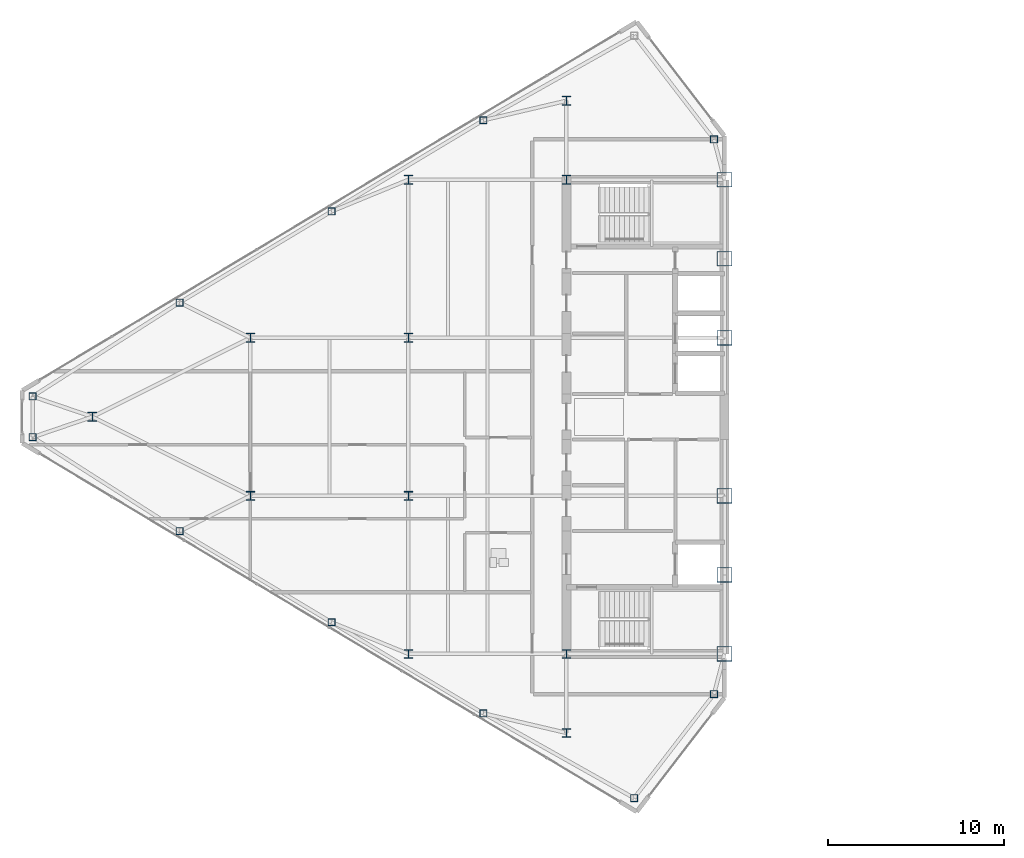
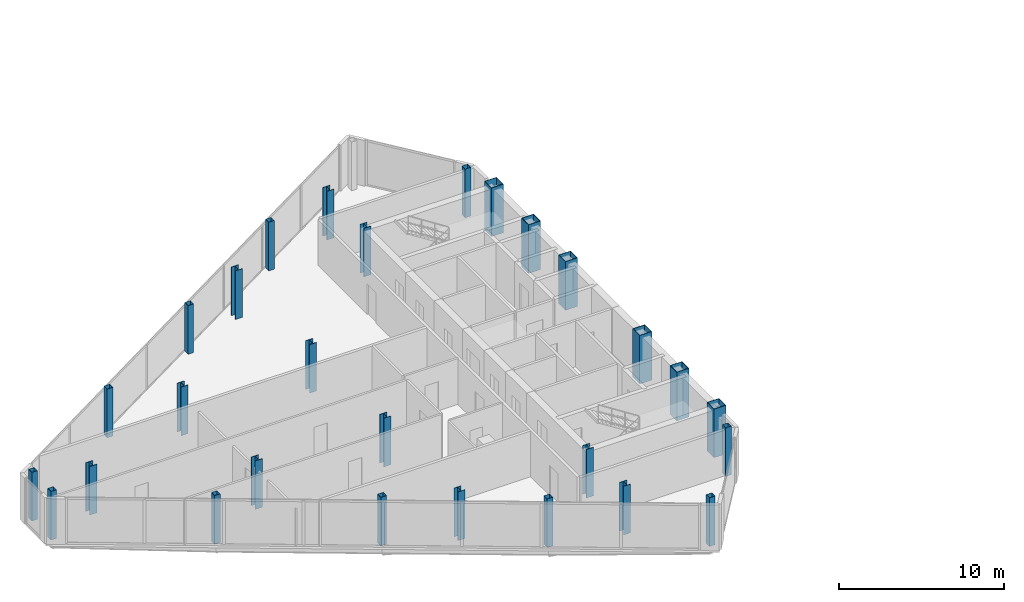
# One storey, part 1 of 25: 28 columns.
"""IFC4 building model written with IfcOpenShell, lengths in metres."""

from ifc_helpers import new_model, si_unit, direction, frame, origin, origin_2d, place, context, subcontext, project, spatial, hollow_rectangle, i_section, extrude, source, transform, mapped, material, material_profile, profile_set, type_object, type_shapes, element, save


model = new_model("IFC4")

# Units and contexts
model_context = context("Model", 3, precision=1e-05, world=origin(), true_north=direction((0.0, 1.0)))
body_context = subcontext(model_context, "Body", "Model", "MODEL_VIEW")
ifc_project = project(units=[si_unit("LENGTHUNIT", "METRE"), si_unit("AREAUNIT", "SQUARE_METRE"), si_unit("VOLUMEUNIT", "CUBIC_METRE"), si_unit("PLANEANGLEUNIT", "RADIAN"), si_unit("MASSUNIT", "GRAM", prefix="KILO")], contexts=[model_context])

# Site, building, storey
site_placement = place(None, origin())
site = spatial("IfcSite", under=ifc_project, at=site_placement, CompositionType="ELEMENT")
building_placement = place(site_placement, origin())
building = spatial("IfcBuilding", under=site, at=building_placement, Name="Seokmaru Belvedere", CompositionType="ELEMENT")
storey_placement = place(building_placement, frame((0.0, 0.0, 210.300048828125)))
storey = spatial("IfcBuildingStorey", under=building, at=storey_placement, Name="L56", CompositionType="ELEMENT", Elevation=210.300048828125)

# Columns
ifc_material_1 = material(Name="Steel HSA650 (650 MPa)", Category="steel")
ifc_material_profile_1 = material_profile(ifc_material_1, hollow_rectangle(XDim=0.85009765625, YDim=0.85009765625, WallThickness=0.035888671875, at=origin_2d()), Name="BOX-850x850x36")
ifc_profile_set_1 = profile_set([ifc_material_profile_1], Name="Steel HSA650 (650 MPa)")
column_type_1 = type_object("IfcColumnType", Name="Portal Spine Column BOX-850", PredefinedType="COLUMN", material=ifc_profile_set_1)
shared_shape_1 = source(origin(), body_context, "Body", "SweptSolid", [
    extrude(hollow_rectangle(XDim=0.85009765625, YDim=0.85009765625, WallThickness=0.035888671875, at=origin_2d()), origin(), (0.0, 0.0, 1.0), 3.599853515625),
])
type_shapes(column_type_1, [shared_shape_1])
for number, where, z_axis, x_axis, name in (
    (1, (-27.5, -13.5, 0.0), (0.0, 0.0, 1.0), (1.0, 0.0, 0.0), "L56 Column WS1"),
    (2, (-27.5, -9.0, 0.0), (0.0, 0.0, 1.0), (1.0, 0.0, 0.0), "L56 Column WS2"),
    (3, (-27.5, -4.5, 0.0), (0.0, 0.0, 1.0), (1.0, 0.0, 0.0), "L56 Column WS3"),
    (4, (-27.5, 4.5, 0.0), (0.0, 0.0, 1.0), (1.0, 0.0, 0.0), "L56 Column WS4"),
    (5, (-27.5, 9.0, 0.0), (0.0, 0.0, 1.0), (1.0, 0.0, 0.0), "L56 Column WS5"),
    (6, (-27.5, 13.5, 0.0), (0.0, 0.0, 1.0), (1.0, 0.0, 0.0), "L56 Column WS6"),
):
    element("IfcColumn", number, at=place(storey_placement, frame(where, z_axis=z_axis, x_axis=x_axis)), inside=storey, type_object=column_type_1, Name=name, PredefinedType="COLUMN", context=body_context, shape_type="MappedRepresentation", body=[
        mapped(shared_shape_1, transform((0.0, 0.0, 0.0), scale=1.0)),
    ])
ifc_material_2 = material(Name="Steel SM355 (355 MPa)", Category="steel")
ifc_material_profile_2 = material_profile(ifc_material_2, i_section(OverallWidth=0.5, OverallDepth=0.5, WebThickness=0.02001953125, FlangeThickness=0.031982421875, at=origin_2d()), Name="H-500x500x20x32")
ifc_profile_set_2 = profile_set([ifc_material_profile_2], Name="Steel SM355 (355 MPa)")
column_type_2 = type_object("IfcColumnType", Name="High-Rise Interior Column H-500", PredefinedType="COLUMN", material=ifc_profile_set_2)
shared_shape_2 = source(origin(), body_context, "Body", "SweptSolid", [
    extrude(i_section(OverallWidth=0.5, OverallDepth=0.5, WebThickness=0.02001953125, FlangeThickness=0.031982421875, at=origin_2d()), origin(), (0.0, 0.0, 1.0), 3.599853515625),
])
type_shapes(column_type_2, [shared_shape_2])
for number, where, z_axis, x_axis, name in (
    (7, (-36.5, -18.0, 0.0), (0.0, 0.0, 1.0), (1.0, 0.0, 0.0), "L56 Column WC1"),
    (8, (-36.5, -13.5, 0.0), (0.0, 0.0, 1.0), (1.0, 0.0, 0.0), "L56 Column WC2"),
    (9, (-36.5, 13.5, 0.0), (0.0, 0.0, 1.0), (1.0, 0.0, 0.0), "L56 Column WC3"),
    (10, (-36.5, 18.0, 0.0), (0.0, 0.0, 1.0), (1.0, 0.0, 0.0), "L56 Column WC4"),
    (11, (-45.5, -13.5, 0.0), (0.0, 0.0, 1.0), (1.0, 0.0, 0.0), "L56 Column WG5_1"),
    (12, (-45.5, -4.5, 0.0), (0.0, 0.0, 1.0), (1.0, 0.0, 0.0), "L56 Column WG5_2"),
    (13, (-45.5, 4.5, 0.0), (0.0, 0.0, 1.0), (1.0, 0.0, 0.0), "L56 Column WG5_3"),
    (14, (-45.5, 13.5, 0.0), (0.0, 0.0, 1.0), (1.0, 0.0, 0.0), "L56 Column WG5_4"),
    (15, (-54.5, -4.5, 0.0), (0.0, 0.0, 1.0), (1.0, 0.0, 0.0), "L56 Column WG4P_1"),
    (16, (-54.5, 4.5, 0.0), (0.0, 0.0, 1.0), (1.0, 0.0, 0.0), "L56 Column WG4P_2"),
    (17, (-63.5, 0.0, 0.0), (0.0, 0.0, 1.0), (1.0, 0.0, 0.0), "L56 Column WG3P_1"),
):
    element("IfcColumn", number, at=place(storey_placement, frame(where, z_axis=z_axis, x_axis=x_axis)), inside=storey, type_object=column_type_2, Name=name, PredefinedType="COLUMN", context=body_context, shape_type="MappedRepresentation", body=[
        mapped(shared_shape_2, transform((0.0, 0.0, 0.0), scale=1.0)),
    ])
ifc_material_profile_3 = material_profile(ifc_material_2, hollow_rectangle(XDim=0.39990234375, YDim=0.39990234375, WallThickness=0.01611328125, at=origin_2d()), Name="HSS-400x400x16")
ifc_profile_set_3 = profile_set([ifc_material_profile_3], Name="Steel SM355 (355 MPa)")
column_type_3 = type_object("IfcColumnType", Name="Perimeter Facet Column HSS-400", PredefinedType="COLUMN", material=ifc_profile_set_3)
shared_shape_3 = source(origin(), body_context, "Body", "SweptSolid", [
    extrude(hollow_rectangle(XDim=0.39990234375, YDim=0.39990234375, WallThickness=0.01611328125, at=origin_2d()), origin(), (0.0, 0.0, 1.0), 3.599853515625),
])
type_shapes(column_type_3, [shared_shape_3])
for number, where, z_axis, x_axis, name in (
    (18, (-28.10009765625, -15.7958984375, 0.0), (0.0, 0.0, 1.0), (1.0, 0.0, 0.0), "L56 Column WF1"),
    (19, (-28.10009765625, 15.7958984375, 0.0), (0.0, 0.0, 1.0), (1.0, 0.0, 0.0), "L56 Column WF2"),
    (20, (-66.89990234375, 1.160400390625, 0.0), (0.0, 0.0, 1.0), (1.0, 0.0, 0.0), "L56 Column WF4"),
    (21, (-66.89990234375, -1.160400390625, 0.0), (0.0, 0.0, 1.0), (1.0, 0.0, 0.0), "L56 Column WF5"),
    (22, (-32.649658203125, -21.71044921875, 0.0), (0.0, 0.0, 1.0), (1.0, 0.0, 0.0), "L56 Column WF6"),
    (23, (-41.229736328125, -16.888916015625, 0.0), (0.0, 0.0, 1.0), (1.0, 0.0, 0.0), "L56 Column WFLK_S1"),
    (24, (-49.8798828125, -11.698974609375, 0.0), (0.0, 0.0, 1.0), (1.0, 0.0, 0.0), "L56 Column WFLK_S2"),
    (25, (-58.530029296875, -6.5087890625, 0.0), (0.0, 0.0, 1.0), (1.0, 0.0, 0.0), "L56 Column WFLK_S3"),
    (26, (-41.229736328125, 16.888916015625, 0.0), (0.0, 0.0, 1.0), (1.0, 0.0, 0.0), "L56 Column WFLK_N1"),
    (27, (-49.8798828125, 11.698974609375, 0.0), (0.0, 0.0, 1.0), (1.0, 0.0, 0.0), "L56 Column WFLK_N2"),
    (28, (-58.530029296875, 6.5087890625, 0.0), (0.0, 0.0, 1.0), (1.0, 0.0, 0.0), "L56 Column WFLK_N3"),
):
    element("IfcColumn", number, at=place(storey_placement, frame(where, z_axis=z_axis, x_axis=x_axis)), inside=storey, type_object=column_type_3, Name=name, PredefinedType="COLUMN", context=body_context, shape_type="MappedRepresentation", body=[
        mapped(shared_shape_3, transform((0.0, 0.0, 0.0), scale=1.0)),
    ])

save(model, "model.ifc")
